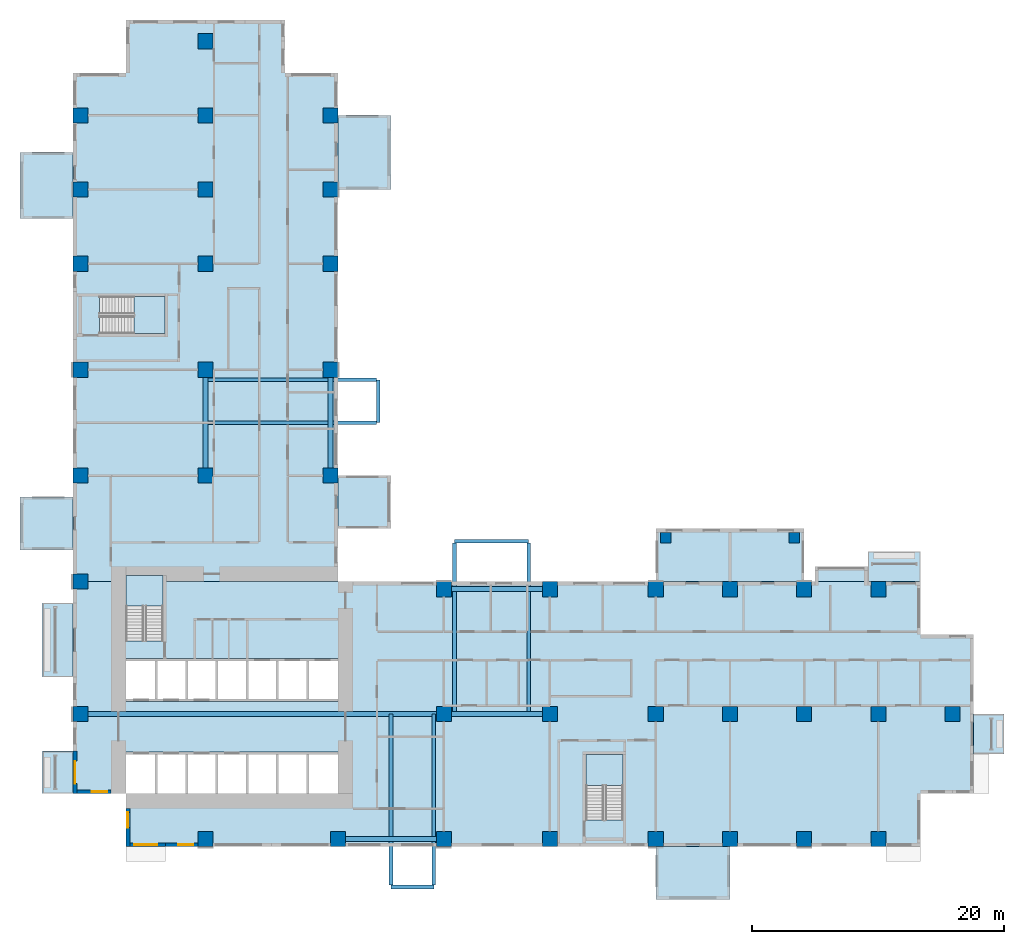
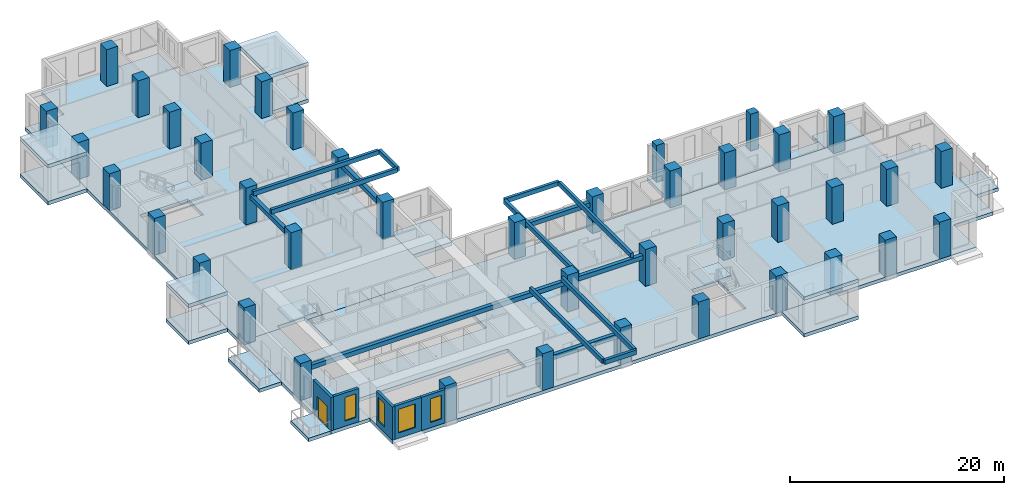
# One storey, part 1 of 15: 41 columns, 20 slabs, 15 beams, 5 walls, 4 windows, 1 door, 5 openings, 3 elements without a shape of their own.
"""IFC4 building model written with IfcOpenShell, lengths in metres."""

from ifc_helpers import new_model, si_unit, direction, frame, frame_2d, origin, origin_2d, place, context, subcontext, project, spatial, polyline, rectangle, outline, extrude, source, transform, mapped, material, layer, layer_set, material_profile, profile_set, type_object, element, fill, aggregate, save


model = new_model("IFC4")

# Units and contexts
model_context = context("Model", 3, precision=1e-05, world=origin(), true_north=direction((0.0, 1.0)))
body_context = subcontext(model_context, "Body", "Model", "MODEL_VIEW")
ifc_project = project(units=[si_unit("LENGTHUNIT", "METRE"), si_unit("AREAUNIT", "SQUARE_METRE"), si_unit("VOLUMEUNIT", "CUBIC_METRE"), si_unit("PLANEANGLEUNIT", "RADIAN"), si_unit("MASSUNIT", "GRAM", prefix="KILO")], contexts=[model_context])

# Site, building, storey
site_placement = place(None, origin())
site = spatial("IfcSite", under=ifc_project, at=site_placement, CompositionType="ELEMENT")
building_placement = place(site_placement, origin())
building = spatial("IfcBuilding", under=site, at=building_placement, Name="Aurelian Terraces", CompositionType="ELEMENT")
storey_placement = place(building_placement, frame((0.0, 0.0, 61.5)))
storey = spatial("IfcBuildingStorey", under=building, at=storey_placement, Name="L12", CompositionType="ELEMENT", Elevation=61.5)

# Columns
ifc_material_1 = material(Name="Concrete fc' 83 MPa", Category="concrete")
ifc_material_profile_1 = material_profile(ifc_material_1, rectangle(XDim=1.2, YDim=1.2, at=origin_2d()))
ifc_profile_set_1 = profile_set([ifc_material_profile_1], Name="Concrete fc' 83 MPa")
column_type_1 = type_object("IfcColumnType", Name="RC COLUMN 1200X1200 FC83", PredefinedType="COLUMN", material=ifc_profile_set_1)
shared_shape_1 = source(origin(), body_context, "Body", "SweptSolid", [
    extrude(rectangle(XDim=1.2, YDim=1.2, at=origin_2d()), origin(), (0.0, 0.0, 1.0), 4.2),
])
for number, where, z_axis, x_axis, name in (
    (1, (10.5, 0.6, 0.0), (0.0, 0.0, 1.0), (1.0, 0.0, 0.0), "Column 2/A L12"),
    (2, (21.0, 0.6, 0.0), (0.0, 0.0, 1.0), (1.0, 0.0, 0.0), "Column 3/A L12"),
    (3, (29.4, 0.6, 0.0), (0.0, 0.0, 1.0), (1.0, 0.0, 0.0), "Column 4/A L12"),
    (4, (37.8, 0.6, 0.0), (0.0, 0.0, 1.0), (1.0, 0.0, 0.0), "Column 5/A L12"),
    (5, (46.2, 0.6, 0.0), (0.0, 0.0, 1.0), (1.0, 0.0, 0.0), "Column 6/A L12"),
    (6, (52.08, 0.6, 0.0), (0.0, 0.0, 1.0), (1.0, 0.0, 0.0), "Column 7/A L12"),
    (7, (57.96, 0.6, 0.0), (0.0, 0.0, 1.0), (1.0, 0.0, 0.0), "Column 8/A L12"),
    (8, (63.84, 0.6, 0.0), (0.0, 0.0, 1.0), (1.0, 0.0, 0.0), "Column 9/A L12"),
    (9, (0.6, 10.5, 0.0), (0.0, 0.0, 1.0), (1.0, 0.0, 0.0), "Column 1/B L12"),
    (10, (29.4, 10.5, 0.0), (0.0, 0.0, 1.0), (1.0, 0.0, 0.0), "Column 4/B L12"),
    (11, (37.8, 10.5, 0.0), (0.0, 0.0, 1.0), (1.0, 0.0, 0.0), "Column 5/B L12"),
    (12, (46.2, 10.5, 0.0), (0.0, 0.0, 1.0), (1.0, 0.0, 0.0), "Column 6/B L12"),
    (13, (52.08, 10.5, 0.0), (0.0, 0.0, 1.0), (1.0, 0.0, 0.0), "Column 7/B L12"),
    (14, (57.96, 10.5, 0.0), (0.0, 0.0, 1.0), (1.0, 0.0, 0.0), "Column 8/B L12"),
    (15, (63.84, 10.5, 0.0), (0.0, 0.0, 1.0), (1.0, 0.0, 0.0), "Column 9/B L12"),
    (16, (69.72, 10.5, 0.0), (0.0, 0.0, 1.0), (1.0, 0.0, 0.0), "Column 10/B L12"),
    (17, (0.6, 21.0, 0.0), (0.0, 0.0, 1.0), (1.0, 0.0, 0.0), "Column 1/C L12"),
    (18, (29.4, 20.4, 0.0), (0.0, 0.0, 1.0), (1.0, 0.0, 0.0), "Column 4/C L12"),
    (19, (37.8, 20.4, 0.0), (0.0, 0.0, 1.0), (1.0, 0.0, 0.0), "Column 5/C L12"),
    (20, (46.2, 20.4, 0.0), (0.0, 0.0, 1.0), (1.0, 0.0, 0.0), "Column 6/C L12"),
    (21, (52.08, 20.4, 0.0), (0.0, 0.0, 1.0), (1.0, 0.0, 0.0), "Column 7/C L12"),
    (22, (57.96, 20.4, 0.0), (0.0, 0.0, 1.0), (1.0, 0.0, 0.0), "Column 8/C L12"),
    (23, (63.84, 20.4, 0.0), (0.0, 0.0, 1.0), (1.0, 0.0, 0.0), "Column 9/C L12"),
    (24, (0.6, 29.4, 0.0), (0.0, 0.0, 1.0), (1.0, 0.0, 0.0), "Column 1/D L12"),
    (25, (10.5, 29.4, 0.0), (0.0, 0.0, 1.0), (1.0, 0.0, 0.0), "Column 2/D L12"),
    (26, (20.4, 29.4, 0.0), (0.0, 0.0, 1.0), (1.0, 0.0, 0.0), "Column 3/D L12"),
    (27, (0.6, 37.8, 0.0), (0.0, 0.0, 1.0), (1.0, 0.0, 0.0), "Column 1/E L12"),
    (28, (10.5, 37.8, 0.0), (0.0, 0.0, 1.0), (1.0, 0.0, 0.0), "Column 2/E L12"),
    (29, (20.4, 37.8, 0.0), (0.0, 0.0, 1.0), (1.0, 0.0, 0.0), "Column 3/E L12"),
    (30, (0.6, 46.2, 0.0), (0.0, 0.0, 1.0), (1.0, 0.0, 0.0), "Column 1/F L12"),
    (31, (10.5, 46.2, 0.0), (0.0, 0.0, 1.0), (1.0, 0.0, 0.0), "Column 2/F L12"),
    (32, (20.4, 46.2, 0.0), (0.0, 0.0, 1.0), (1.0, 0.0, 0.0), "Column 3/F L12"),
    (33, (0.6, 52.08, 0.0), (0.0, 0.0, 1.0), (1.0, 0.0, 0.0), "Column 1/G L12"),
    (34, (10.5, 52.08, 0.0), (0.0, 0.0, 1.0), (1.0, 0.0, 0.0), "Column 2/G L12"),
    (35, (20.4, 52.08, 0.0), (0.0, 0.0, 1.0), (1.0, 0.0, 0.0), "Column 3/G L12"),
    (36, (0.6, 57.96, 0.0), (0.0, 0.0, 1.0), (1.0, 0.0, 0.0), "Column 1/H L12"),
    (37, (10.5, 57.96, 0.0), (0.0, 0.0, 1.0), (1.0, 0.0, 0.0), "Column 2/H L12"),
    (38, (20.4, 57.96, 0.0), (0.0, 0.0, 1.0), (1.0, 0.0, 0.0), "Column 3/H L12"),
    (39, (10.5, 63.84, 0.0), (0.0, 0.0, 1.0), (1.0, 0.0, 0.0), "Column 2/I L12"),
):
    element("IfcColumn", number, at=place(storey_placement, frame(where, z_axis=z_axis, x_axis=x_axis)), inside=storey, type_object=column_type_1, Name=name, PredefinedType="COLUMN", context=body_context, shape_type="MappedRepresentation", body=[
        mapped(shared_shape_1, transform((0.0, 0.0, 0.0), scale=1.0)),
    ])
ifc_material_2 = material(Name="Concrete fc' 55 MPa", Category="concrete")
ifc_material_profile_2 = material_profile(ifc_material_2, rectangle(XDim=0.84, YDim=0.84, at=origin_2d()))
ifc_profile_set_2 = profile_set([ifc_material_profile_2], Name="Concrete fc' 55 MPa")
column_type_2 = type_object("IfcColumnType", Name="BLOCK CORNER PIER 840X840", PredefinedType="COLUMN", material=ifc_profile_set_2)
shared_shape_2 = source(origin(), body_context, "Body", "SweptSolid", [
    extrude(rectangle(XDim=0.84, YDim=0.84, at=origin_2d()), origin(), (0.0, 0.0, 1.0), 4.2),
])
for number, where, z_axis, x_axis, name in (
    (40, (47.0, 24.48, 0.0), (0.0, 0.0, 1.0), (1.0, 0.0, 0.0), "Block pier K01.1 L12"),
    (41, (57.16, 24.48, 0.0), (0.0, 0.0, 1.0), (1.0, 0.0, 0.0), "Block pier K01.2 L12"),
):
    element("IfcColumn", number, at=place(storey_placement, frame(where, z_axis=z_axis, x_axis=x_axis)), inside=storey, type_object=column_type_2, Name=name, PredefinedType="COLUMN", context=body_context, shape_type="MappedRepresentation", body=[
        mapped(shared_shape_2, transform((0.0, 0.0, 0.0), scale=1.0)),
    ])

# Beams
ifc_material_3 = material(Name="Concrete fc' 40 MPa", Category="concrete")
ifc_material_profile_3 = material_profile(ifc_material_3, rectangle(XDim=0.3, YDim=0.5, at=origin_2d()))
ifc_profile_set_3 = profile_set([ifc_material_profile_3], Name="Concrete fc' 40 MPa")
beam_type_1 = type_object("IfcBeamType", Name="CONCRETE CANTILEVER BEAM 300X500", PredefinedType="BEAM", material=ifc_profile_set_3)
shared_shape_3 = source(origin(), body_context, "Body", "SweptSolid", [
    extrude(rectangle(XDim=0.3, YDim=0.5, at=origin_2d()), origin(), (0.0, 0.0, 1.0), 13.55),
])
for number, where, z_axis, x_axis, name in (
    (42, (25.2, -3.05, 3.55), (0.0, 1.0, 0.0), (-1.0, 0.0, 0.0), "Box cantilever beam J12.1"),
    (43, (28.6, -3.05, 3.55), (0.0, 1.0, 0.0), (-1.0, 0.0, 0.0), "Box cantilever beam J12.2"),
    (44, (30.24, 24.05, 3.55), (0.0, -1.0, 0.0), (1.0, 0.0, 0.0), "Box cantilever beam J13.1"),
    (45, (36.12, 24.05, 3.55), (0.0, -1.0, 0.0), (1.0, 0.0, 0.0), "Box cantilever beam J13.2"),
    (46, (24.05, 33.6, 3.55), (-1.0, 0.0, 0.0), (0.0, -1.0, 0.0), "Box cantilever beam J14.1"),
    (47, (24.05, 37.0, 3.55), (-1.0, 0.0, 0.0), (0.0, -1.0, 0.0), "Box cantilever beam J14.2"),
):
    element("IfcBeam", number, at=place(storey_placement, frame(where, z_axis=z_axis, x_axis=x_axis)), inside=storey, type_object=beam_type_1, Name=name, PredefinedType="BEAM", context=body_context, shape_type="MappedRepresentation", body=[
        mapped(shared_shape_3, transform((0.0, 0.0, 0.0), scale=1.0)),
    ])
ifc_material_profile_4 = material_profile(ifc_material_3, rectangle(XDim=0.4, YDim=0.5, at=origin_2d()))
ifc_profile_set_4 = profile_set([ifc_material_profile_4], Name="Concrete fc' 40 MPa")
beam_type_2 = type_object("IfcBeamType", Name="CONCRETE EDGE GIRDER 400X500", PredefinedType="BEAM", material=ifc_profile_set_4)
shared_shape_4 = source(origin(), body_context, "Body", "SweptSolid", [
    extrude(rectangle(XDim=0.4, YDim=0.5, at=origin_2d()), origin(), (0.0, 0.0, 1.0), 7.2),
])
for number, where, z_axis, x_axis, name in (
    (48, (21.6, 0.6, 3.05), (1.0, 0.0, 0.0), (0.0, 1.0, 0.0), "Box girder L12 O25"),
    (49, (30.0, 20.4, 3.05), (1.0, 0.0, 0.0), (0.0, 1.0, 0.0), "Box girder L12 O27"),
    (50, (30.0, 10.5, 3.05), (1.0, 0.0, 0.0), (0.0, 1.0, 0.0), "Box girder L12 I28"),
    (51, (20.4, 30.0, 3.05), (0.0, 1.0, 0.0), (-1.0, 0.0, 0.0), "Box girder L12 O29"),
    (52, (10.5, 30.0, 3.05), (0.0, 1.0, 0.0), (-1.0, 0.0, 0.0), "Box girder L12 I30"),
):
    element("IfcBeam", number, at=place(storey_placement, frame(where, z_axis=z_axis, x_axis=x_axis)), inside=storey, type_object=beam_type_2, Name=name, PredefinedType="BEAM", context=body_context, shape_type="MappedRepresentation", body=[
        mapped(shared_shape_4, transform((0.0, 0.0, 0.0), scale=1.0)),
    ])
shared_shape_5 = source(origin(), body_context, "Body", "SweptSolid", [
    extrude(rectangle(XDim=0.4, YDim=0.5, at=origin_2d()), origin(), (0.0, 0.0, 1.0), 27.6),
])
beam_1_placement = place(storey_placement, frame((1.2, 10.5, 3.05), z_axis=(1.0, 0.0, 0.0), x_axis=(0.0, 1.0, 0.0)))
element("IfcBeam", 53, at=beam_1_placement, inside=storey, type_object=beam_type_2, Name="Box girder L12 I26", PredefinedType="BEAM", context=body_context, shape_type="MappedRepresentation", body=[
    mapped(shared_shape_5, transform((0.0, 0.0, 0.0), scale=1.0)),
])
shared_shape_6 = source(origin(), body_context, "Body", "SweptSolid", [
    extrude(rectangle(XDim=0.3, YDim=0.5, at=origin_2d()), origin(), (0.0, 0.0, 1.0), 3.4),
])
for number, where, z_axis, x_axis, name in (
    (54, (25.2, -3.2, 3.55), (1.0, 0.0, 0.0), (0.0, 1.0, 0.0), "Box tip beam J12"),
    (55, (24.2, 33.6, 3.55), (0.0, 1.0, 0.0), (-1.0, 0.0, 0.0), "Box tip beam J14"),
):
    element("IfcBeam", number, at=place(storey_placement, frame(where, z_axis=z_axis, x_axis=x_axis)), inside=storey, type_object=beam_type_1, Name=name, PredefinedType="BEAM", context=body_context, shape_type="MappedRepresentation", body=[
        mapped(shared_shape_6, transform((0.0, 0.0, 0.0), scale=1.0)),
    ])
shared_shape_7 = source(origin(), body_context, "Body", "SweptSolid", [
    extrude(rectangle(XDim=0.3, YDim=0.5, at=origin_2d()), origin(), (0.0, 0.0, 1.0), 5.88),
])
beam_2_placement = place(storey_placement, frame((30.24, 24.2, 3.55), z_axis=(1.0, 0.0, 0.0), x_axis=(0.0, 1.0, 0.0)))
element("IfcBeam", 56, at=beam_2_placement, inside=storey, type_object=beam_type_1, Name="Box tip beam J13", PredefinedType="BEAM", context=body_context, shape_type="MappedRepresentation", body=[
    mapped(shared_shape_7, transform((0.0, 0.0, 0.0), scale=1.0)),
])

# Slabs
ifc_layer_1 = layer(ifc_material_3, 0.41)
ifc_layer_set_1 = layer_set([ifc_layer_1], Name="Box floor 410")
slab_type_1 = type_object("IfcSlabType", Name="Box floor 410", PredefinedType="NOTDEFINED", material=ifc_layer_set_1)
slab_1_placement = place(storey_placement, frame((0.0, 0.0, -0.41)))
element("IfcSlab", 57, at=slab_1_placement, inside=storey, type_object=slab_type_1, Name="Box floor L12 J11", PredefinedType="NOTDEFINED", context=body_context, shape_type="SweptSolid", body=[
    extrude(outline(polyline([(25.2, 25.2), (25.2, 29.4), (21.0, 29.4), (21.0, 25.2), (25.2, 25.2)])), origin(), (0.0, 0.0, 1.0), 0.41),
])
ifc_layer_2 = layer(ifc_material_3, 0.4)
ifc_layer_set_2 = layer_set([ifc_layer_2], Name="Box roof 400")
slab_type_2 = type_object("IfcSlabType", Name="Box roof 400", PredefinedType="ROOF", material=ifc_layer_set_2)
slab_2_placement = place(storey_placement, frame((0.0, 0.0, 3.8)))
element("IfcSlab", 58, at=slab_2_placement, inside=storey, type_object=slab_type_2, Name="Box roof J08", PredefinedType="ROOF", context=body_context, shape_type="SweptSolid", body=[
    extrude(outline(polyline([(25.2, 52.08), (25.2, 57.96), (21.0, 57.96), (21.0, 52.08), (25.2, 52.08)])), origin(), (0.0, 0.0, 1.0), 0.4),
])
ifc_layer_3 = layer(ifc_material_3, 0.4)
ifc_layer_set_3 = layer_set([ifc_layer_3], Name="PT FLAT PLATE 400")
slab_type_3 = type_object("IfcSlabType", Name="PT FLAT PLATE 400", PredefinedType="FLOOR", material=ifc_layer_set_3)
shared_shape_8 = source(origin(), body_context, "Body", "SweptSolid", [
    extrude(outline(polyline([(67.2, 16.8), (71.4, 16.8), (71.4, 4.2), (67.2, 4.2), (67.2, 0.0), (21.0, 0.0), (4.2, 0.0), (4.2, 4.2), (0.0, 4.2), (0.0, 21.0), (4.21, 21.0), (4.21, 16.31), (7.14, 16.31), (7.14, 21.0), (21.0, 21.0), (67.2, 21.0), (67.2, 16.8)]), holes=[polyline([(40.66, 2.11), (43.59, 2.11), (43.59, 7.29), (40.66, 7.29), (40.66, 2.11)]), polyline([(4.21, 7.49), (4.21, 4.21), (20.99, 4.21), (20.99, 7.49), (4.21, 7.49)]), polyline([(4.21, 14.89), (4.21, 11.51), (20.99, 11.51), (20.99, 14.89), (4.21, 14.89)])]), origin(), (0.0, 0.0, 1.0), 0.4),
])
slab_3_placement = place(storey_placement, frame((0.0, 0.0, -0.4)))
element("IfcSlab", 59, at=slab_3_placement, inside=storey, type_object=slab_type_3, Name="Floor slab S L12", PredefinedType="FLOOR", context=body_context, shape_type="MappedRepresentation", body=[
    mapped(shared_shape_8, transform((0.0, 0.0, 0.0), scale=1.0)),
])
shared_shape_9 = source(origin(), body_context, "Body", "SweptSolid", [
    extrude(outline(polyline([(7.14, 21.0), (7.14, 21.49), (4.21, 21.49), (4.21, 21.0), (0.0, 21.0), (0.0, 61.32), (4.2, 61.32), (4.2, 65.52), (16.8, 65.52), (16.8, 61.32), (21.0, 61.32), (21.0, 21.0), (7.14, 21.0)]), holes=[polyline([(7.29, 43.59), (2.11, 43.59), (2.11, 40.66), (7.29, 40.66), (7.29, 43.59)])]), origin(), (0.0, 0.0, 1.0), 0.4),
])
slab_4_placement = place(storey_placement, frame((0.0, 0.0, -0.4)))
element("IfcSlab", 60, at=slab_4_placement, inside=storey, type_object=slab_type_3, Name="Floor slab W L12", PredefinedType="FLOOR", context=body_context, shape_type="MappedRepresentation", body=[
    mapped(shared_shape_9, transform((0.0, 0.0, 0.0), scale=1.0)),
])
ifc_layer_4 = layer(ifc_material_3, 0.4)
ifc_layer_set_4 = layer_set([ifc_layer_4], Name="Bay floor 400")
slab_type_4 = type_object("IfcSlabType", Name="Bay floor 400", PredefinedType="NOTDEFINED", material=ifc_layer_set_4)
shared_shape_10 = source(origin(), body_context, "Body", "SweptSolid", [
    extrude(outline(polyline([(63.0, 21.0), (58.8, 21.0), (58.8, 22.2), (63.0, 22.2), (63.0, 21.0)])), origin(), (0.0, 0.0, 1.0), 0.4),
])
slab_5_placement = place(storey_placement, frame((0.0, 0.0, -0.4)))
element("IfcSlab", 61, at=slab_5_placement, inside=storey, type_object=slab_type_4, Name="Bay floor L12 F07.21", PredefinedType="NOTDEFINED", context=body_context, shape_type="MappedRepresentation", body=[
    mapped(shared_shape_10, transform((0.0, 0.0, 0.0), scale=1.0)),
])
ifc_layer_5 = layer(ifc_material_3, 0.4)
ifc_layer_set_5 = layer_set([ifc_layer_5], Name="Balcony slab 400")
slab_type_5 = type_object("IfcSlabType", Name="Balcony slab 400", PredefinedType="NOTDEFINED", material=ifc_layer_set_5)
shared_shape_11 = source(origin(), body_context, "Body", "SweptSolid", [
    extrude(outline(polyline([(0.0, 19.32), (0.0, 13.44), (-2.4, 13.44), (-2.4, 19.32), (0.0, 19.32)])), origin(), (0.0, 0.0, 1.0), 0.4),
])
slab_6_placement = place(storey_placement, frame((0.0, 0.0, -0.4)))
element("IfcSlab", 62, at=slab_6_placement, inside=storey, type_object=slab_type_5, Name="Balcony slab L12 F14.39", PredefinedType="NOTDEFINED", context=body_context, shape_type="MappedRepresentation", body=[
    mapped(shared_shape_11, transform((0.0, 0.0, 0.0), scale=1.0)),
])
shared_shape_12 = source(origin(), body_context, "Body", "SweptSolid", [
    extrude(outline(polyline([(46.2, -4.2), (52.08, -4.2), (52.08, 0.0), (46.2, 0.0), (46.2, -4.2)])), origin(), (0.0, 0.0, 1.0), 0.41),
])
slab_7_placement = place(storey_placement, frame((0.0, 0.0, -0.41)))
element("IfcSlab", 63, at=slab_7_placement, inside=storey, type_object=slab_type_1, Name="Box floor L12 J07", PredefinedType="NOTDEFINED", context=body_context, shape_type="MappedRepresentation", body=[
    mapped(shared_shape_12, transform((0.0, 0.0, 0.0), scale=1.0)),
])
shared_shape_13 = source(origin(), body_context, "Body", "SweptSolid", [
    extrude(outline(polyline([(-4.2, 27.72), (-4.2, 23.52), (0.0, 23.52), (0.0, 27.72), (-4.2, 27.72)])), origin(), (0.0, 0.0, 1.0), 0.41),
])
slab_8_placement = place(storey_placement, frame((0.0, 0.0, -0.41)))
element("IfcSlab", 64, at=slab_8_placement, inside=storey, type_object=slab_type_1, Name="Box floor L12 J09", PredefinedType="NOTDEFINED", context=body_context, shape_type="MappedRepresentation", body=[
    mapped(shared_shape_13, transform((0.0, 0.0, 0.0), scale=1.0)),
])
shared_shape_14 = source(origin(), body_context, "Body", "SweptSolid", [
    extrude(outline(polyline([(-4.2, 55.02), (-4.2, 49.77), (0.0, 49.77), (0.0, 55.02), (-4.2, 55.02)])), origin(), (0.0, 0.0, 1.0), 0.41),
])
slab_9_placement = place(storey_placement, frame((0.0, 0.0, -0.41)))
element("IfcSlab", 65, at=slab_9_placement, inside=storey, type_object=slab_type_1, Name="Box floor L12 J10", PredefinedType="NOTDEFINED", context=body_context, shape_type="MappedRepresentation", body=[
    mapped(shared_shape_14, transform((0.0, 0.0, 0.0), scale=1.0)),
])
shared_shape_15 = source(origin(), body_context, "Body", "SweptSolid", [
    extrude(outline(polyline([(0.0, 7.56), (0.0, 4.2), (-2.4, 4.2), (-2.4, 7.56), (0.0, 7.56)])), origin(), (0.0, 0.0, 1.0), 0.4),
])
slab_10_placement = place(storey_placement, frame((0.0, 0.0, -0.4)))
element("IfcSlab", 66, at=slab_10_placement, inside=storey, type_object=slab_type_5, Name="Balcony slab L12 F14.41", PredefinedType="NOTDEFINED", context=body_context, shape_type="MappedRepresentation", body=[
    mapped(shared_shape_15, transform((0.0, 0.0, 0.0), scale=1.0)),
])
shared_shape_16 = source(origin(), body_context, "Body", "SweptSolid", [
    extrude(outline(polyline([(57.96, 25.2), (46.2, 25.2), (46.2, 21.0), (57.96, 21.0), (57.96, 25.2)])), origin(), (0.0, 0.0, 1.0), 0.41),
])
slab_11_placement = place(storey_placement, frame((0.0, 0.0, -0.41)))
element("IfcSlab", 67, at=slab_11_placement, inside=storey, type_object=slab_type_1, Name="Box floor L12 K01", PredefinedType="NOTDEFINED", context=body_context, shape_type="MappedRepresentation", body=[
    mapped(shared_shape_16, transform((0.0, 0.0, 0.0), scale=1.0)),
])
shared_shape_17 = source(origin(), body_context, "Body", "SweptSolid", [
    extrude(outline(polyline([(46.2, -4.2), (52.08, -4.2), (52.08, 0.0), (46.2, 0.0), (46.2, -4.2)])), origin(), (0.0, 0.0, 1.0), 0.4),
])
slab_12_placement = place(storey_placement, frame((0.0, 0.0, 3.8)))
element("IfcSlab", 68, at=slab_12_placement, inside=storey, type_object=slab_type_2, Name="Box roof J07", PredefinedType="ROOF", context=body_context, shape_type="MappedRepresentation", body=[
    mapped(shared_shape_17, transform((0.0, 0.0, 0.0), scale=1.0)),
])
shared_shape_18 = source(origin(), body_context, "Body", "SweptSolid", [
    extrude(outline(polyline([(25.2, 52.08), (25.2, 57.96), (21.0, 57.96), (21.0, 52.08), (25.2, 52.08)])), origin(), (0.0, 0.0, 1.0), 0.41),
])
slab_13_placement = place(storey_placement, frame((0.0, 0.0, -0.41)))
element("IfcSlab", 69, at=slab_13_placement, inside=storey, type_object=slab_type_1, Name="Box floor L12 J08", PredefinedType="NOTDEFINED", context=body_context, shape_type="MappedRepresentation", body=[
    mapped(shared_shape_18, transform((0.0, 0.0, 0.0), scale=1.0)),
])
shared_shape_19 = source(origin(), body_context, "Body", "SweptSolid", [
    extrude(outline(polyline([(-4.2, 27.72), (-4.2, 23.52), (0.0, 23.52), (0.0, 27.72), (-4.2, 27.72)])), origin(), (0.0, 0.0, 1.0), 0.4),
])
slab_14_placement = place(storey_placement, frame((0.0, 0.0, 3.8)))
element("IfcSlab", 70, at=slab_14_placement, inside=storey, type_object=slab_type_2, Name="Box roof J09", PredefinedType="ROOF", context=body_context, shape_type="MappedRepresentation", body=[
    mapped(shared_shape_19, transform((0.0, 0.0, 0.0), scale=1.0)),
])
shared_shape_20 = source(origin(), body_context, "Body", "SweptSolid", [
    extrude(outline(polyline([(-4.2, 55.02), (-4.2, 49.77), (0.0, 49.77), (0.0, 55.02), (-4.2, 55.02)])), origin(), (0.0, 0.0, 1.0), 0.4),
])
slab_15_placement = place(storey_placement, frame((0.0, 0.0, 3.8)))
element("IfcSlab", 71, at=slab_15_placement, inside=storey, type_object=slab_type_2, Name="Box roof J10", PredefinedType="ROOF", context=body_context, shape_type="MappedRepresentation", body=[
    mapped(shared_shape_20, transform((0.0, 0.0, 0.0), scale=1.0)),
])
shared_shape_21 = source(origin(), body_context, "Body", "SweptSolid", [
    extrude(outline(polyline([(71.4, 7.35), (71.4, 10.5), (73.8, 10.5), (73.8, 7.35), (71.4, 7.35)])), origin(), (0.0, 0.0, 1.0), 0.4),
])
slab_16_placement = place(storey_placement, frame((0.0, 0.0, -0.4)))
element("IfcSlab", 72, at=slab_16_placement, inside=storey, type_object=slab_type_5, Name="Balcony slab L12 F04.16", PredefinedType="NOTDEFINED", context=body_context, shape_type="MappedRepresentation", body=[
    mapped(shared_shape_21, transform((0.0, 0.0, 0.0), scale=1.0)),
])
shared_shape_22 = source(origin(), body_context, "Body", "SweptSolid", [
    extrude(outline(polyline([(67.2, 21.0), (63.0, 21.0), (63.0, 23.4), (67.2, 23.4), (67.2, 21.0)])), origin(), (0.0, 0.0, 1.0), 0.4),
])
slab_17_placement = place(storey_placement, frame((0.0, 0.0, -0.4)))
element("IfcSlab", 73, at=slab_17_placement, inside=storey, type_object=slab_type_5, Name="Balcony slab L12 F07.20", PredefinedType="NOTDEFINED", context=body_context, shape_type="MappedRepresentation", body=[
    mapped(shared_shape_22, transform((0.0, 0.0, 0.0), scale=1.0)),
])

# Stair, slab
stair_type = type_object("IfcStairType", Name="Stair 1400", PredefinedType="HALF_TURN_STAIR", material=ifc_material_3)
stair_1_placement = place(storey_placement, origin())
stair_1 = element("IfcStair", 74, at=stair_1_placement, inside=storey, type_object=stair_type, Name="L12 S1", PredefinedType="HALF_TURN_STAIR")
ifc_layer_6 = layer(ifc_material_3, 0.2)
ifc_layer_set_6 = layer_set([ifc_layer_6], Name="Stair landing 200")
slab_type_6 = type_object("IfcSlabType", Name="Stair landing 200", PredefinedType="LANDING", material=ifc_layer_set_6)
shared_shape_23 = source(origin(), body_context, "Body", "SweptSolid", [
    extrude(outline(polyline([(7.15, 19.05), (7.15, 21.5), (4.2, 21.5), (4.2, 19.05), (7.15, 19.05)])), origin(), (0.0, 0.0, 1.0), 0.2),
])
slab_18_placement = place(storey_placement, frame((0.0, 0.0, 1.9)))
slab_18 = element("IfcSlab", 75, at=slab_18_placement, type_object=slab_type_6, Name="S1 landing 1", PredefinedType="LANDING", context=body_context, shape_type="MappedRepresentation", body=[
    mapped(shared_shape_23, transform((0.0, 0.0, 0.0), scale=1.0)),
])
aggregate(stair_1, [slab_18])

stair_2_placement = place(storey_placement, origin())
stair_2 = element("IfcStair", 76, at=stair_2_placement, inside=storey, type_object=stair_type, Name="L12 S2", PredefinedType="HALF_TURN_STAIR")
shared_shape_24 = source(origin(), body_context, "Body", "SweptSolid", [
    extrude(outline(polyline([(43.6, 4.85), (43.6, 7.3), (40.65, 7.3), (40.65, 4.85), (43.6, 4.85)])), origin(), (0.0, 0.0, 1.0), 0.2),
])
slab_19_placement = place(storey_placement, frame((0.0, 0.0, 1.9)))
slab_19 = element("IfcSlab", 77, at=slab_19_placement, type_object=slab_type_6, Name="S2 landing 1", PredefinedType="LANDING", context=body_context, shape_type="MappedRepresentation", body=[
    mapped(shared_shape_24, transform((0.0, 0.0, 0.0), scale=1.0)),
])
aggregate(stair_2, [slab_19])

stair_3_placement = place(storey_placement, origin())
stair_3 = element("IfcStair", 78, at=stair_3_placement, inside=storey, type_object=stair_type, Name="L12 S3", PredefinedType="HALF_TURN_STAIR")
shared_shape_25 = source(origin(), body_context, "Body", "SweptSolid", [
    extrude(outline(polyline([(4.85, 40.65), (7.3, 40.65), (7.3, 43.6), (4.85, 43.6), (4.85, 40.65)])), origin(), (0.0, 0.0, 1.0), 0.2),
])
slab_20_placement = place(storey_placement, frame((0.0, 0.0, 1.9)))
slab_20 = element("IfcSlab", 79, at=slab_20_placement, type_object=slab_type_6, Name="S3 landing 1", PredefinedType="LANDING", context=body_context, shape_type="MappedRepresentation", body=[
    mapped(shared_shape_25, transform((0.0, 0.0, 0.0), scale=1.0)),
])
aggregate(stair_3, [slab_20])

# Wall, opening, window
ifc_material_4 = material(Name="Terracotta rainscreen cladding", Category="masonry")
ifc_layer_7 = layer(ifc_material_4, 0.3)
ifc_layer_set_7 = layer_set([ifc_layer_7], Name="EW-300")
wall_type = type_object("IfcWallType", Name="EW-300", PredefinedType="STANDARD", material=ifc_layer_set_7)
shared_shape_26 = source(origin(), body_context, "Body", "SweptSolid", [
    extrude(rectangle(XDim=3.15, YDim=0.3, at=frame_2d((1.575, 0.0))), origin(), (0.0, 0.0, 1.0), 3.8),
])
wall_1_placement = place(storey_placement, frame((4.2, 0.15, 0.0), z_axis=(0.0, 0.0, 1.0), x_axis=(1.0, 0.0, 0.0)))
wall_1 = element("IfcWall", 80, at=wall_1_placement, inside=storey, type_object=wall_type, Name="External wall L12 F01.1", PredefinedType="STANDARD", context=body_context, shape_type="MappedRepresentation", body=[
    mapped(shared_shape_26, transform((0.0, 0.0, 0.0), scale=1.0)),
])
shared_shape_27 = source(origin(), body_context, "Body", "SweptSolid", [
    extrude(rectangle(XDim=1.8, YDim=2.7, at=frame_2d((0.9, 1.35))), frame((0.0, 0.16, 0.0), z_axis=(0.0, -1.0, 0.0), x_axis=(1.0, 0.0, 0.0)), (0.0, 0.0, 1.0), 0.32),
])
opening_1_placement = place(wall_1_placement, frame((0.675, 0.0, 0.6)))
opening_1 = element("IfcOpeningElement", 81, at=opening_1_placement, cuts=wall_1, Name="Opening W1827", PredefinedType="OPENING", context=body_context, shape_type="MappedRepresentation", body=[
    mapped(shared_shape_27, transform((0.0, 0.0, 0.0), scale=1.0)),
])
ifc_material_5 = material(Name="Clear glazing", Category="glass")
window_type_1 = type_object("IfcWindowType", Name="W-1800x2700", PartitioningType="SINGLE_PANEL", PredefinedType="WINDOW", material=ifc_material_5)
shared_shape_28 = source(origin(), body_context, "Body", "SweptSolid", [
    extrude(rectangle(XDim=1.8, YDim=2.7, at=frame_2d((0.9, 1.35))), frame((0.0, 0.03, 0.0), z_axis=(0.0, -1.0, 0.0), x_axis=(1.0, 0.0, 0.0)), (0.0, 0.0, 1.0), 0.06),
])
window_1_placement = place(opening_1_placement, origin())
window_1 = element("IfcWindow", 82, at=window_1_placement, inside=storey, type_object=window_type_1, Name="Window L12 L12-F01-01-0", OverallHeight=2.7, OverallWidth=1.8, PartitioningType="SINGLE_PANEL", PredefinedType="WINDOW", context=body_context, shape_type="MappedRepresentation", body=[
    mapped(shared_shape_28, transform((0.0, 0.0, 0.0), scale=1.0)),
])
fill(opening_1, window_1)

shared_shape_29 = source(origin(), body_context, "Body", "SweptSolid", [
    extrude(rectangle(XDim=3.0, YDim=0.3, at=frame_2d((1.5, 0.0))), origin(), (0.0, 0.0, 1.0), 3.8),
])
wall_2_placement = place(storey_placement, frame((0.0, 4.35, 0.0), z_axis=(0.0, 0.0, 1.0), x_axis=(1.0, 0.0, 0.0)))
wall_2 = element("IfcWall", 83, at=wall_2_placement, inside=storey, type_object=wall_type, Name="External wall L12 F15.42", PredefinedType="STANDARD", context=body_context, shape_type="MappedRepresentation", body=[
    mapped(shared_shape_29, transform((0.0, 0.0, 0.0), scale=1.0)),
])
shared_shape_30 = source(origin(), body_context, "Body", "SweptSolid", [
    extrude(rectangle(XDim=1.2, YDim=2.7, at=frame_2d((0.6, 1.35))), frame((0.0, 0.16, 0.0), z_axis=(0.0, -1.0, 0.0), x_axis=(1.0, 0.0, 0.0)), (0.0, 0.0, 1.0), 0.32),
])
opening_2_placement = place(wall_2_placement, frame((1.5, 0.0, 0.6)))
opening_2 = element("IfcOpeningElement", 84, at=opening_2_placement, cuts=wall_2, Name="Opening W1227", PredefinedType="OPENING", context=body_context, shape_type="MappedRepresentation", body=[
    mapped(shared_shape_30, transform((0.0, 0.0, 0.0), scale=1.0)),
])
window_type_2 = type_object("IfcWindowType", Name="W-1200x2700", PartitioningType="SINGLE_PANEL", PredefinedType="WINDOW", material=ifc_material_5)
shared_shape_31 = source(origin(), body_context, "Body", "SweptSolid", [
    extrude(rectangle(XDim=1.2, YDim=2.7, at=frame_2d((0.6, 1.35))), frame((0.0, 0.03, 0.0), z_axis=(0.0, -1.0, 0.0), x_axis=(1.0, 0.0, 0.0)), (0.0, 0.0, 1.0), 0.06),
])
window_2_placement = place(opening_2_placement, origin())
window_2 = element("IfcWindow", 85, at=window_2_placement, inside=storey, type_object=window_type_2, Name="Window L12 L12-F15-42-0", OverallHeight=2.7, OverallWidth=1.2, PartitioningType="SINGLE_PANEL", PredefinedType="WINDOW", context=body_context, shape_type="MappedRepresentation", body=[
    mapped(shared_shape_31, transform((0.0, 0.0, 0.0), scale=1.0)),
])
fill(opening_2, window_2)

wall_3_placement = place(storey_placement, frame((4.35, 3.0, 0.0), z_axis=(0.0, 0.0, 1.0), x_axis=(0.0, -1.0, 0.0)))
wall_3 = element("IfcWall", 86, at=wall_3_placement, inside=storey, type_object=wall_type, Name="External wall L12 F16.43", PredefinedType="STANDARD", context=body_context, shape_type="MappedRepresentation", body=[
    mapped(shared_shape_29, transform((0.0, 0.0, 0.0), scale=1.0)),
])
opening_3_placement = place(wall_3_placement, frame((0.3, 0.0, 0.6)))
opening_3 = element("IfcOpeningElement", 87, at=opening_3_placement, cuts=wall_3, Name="Opening W1227", PredefinedType="OPENING", context=body_context, shape_type="MappedRepresentation", body=[
    mapped(shared_shape_30, transform((0.0, 0.0, 0.0), scale=1.0)),
])
window_3_placement = place(opening_3_placement, origin())
window_3 = element("IfcWindow", 88, at=window_3_placement, inside=storey, type_object=window_type_2, Name="Window L12 L12-F16-43-0", OverallHeight=2.7, OverallWidth=1.2, PartitioningType="SINGLE_PANEL", PredefinedType="WINDOW", context=body_context, shape_type="MappedRepresentation", body=[
    mapped(shared_shape_31, transform((0.0, 0.0, 0.0), scale=1.0)),
])
fill(opening_3, window_3)

shared_shape_32 = source(origin(), body_context, "Body", "SweptSolid", [
    extrude(rectangle(XDim=2.55, YDim=0.3, at=frame_2d((1.275, 0.0))), origin(), (0.0, 0.0, 1.0), 3.8),
])
wall_4_placement = place(storey_placement, frame((7.35, 0.15, 0.0), z_axis=(0.0, 0.0, 1.0), x_axis=(1.0, 0.0, 0.0)))
wall_4 = element("IfcWall", 89, at=wall_4_placement, inside=storey, type_object=wall_type, Name="External wall L12 F01.2", PredefinedType="STANDARD", context=body_context, shape_type="MappedRepresentation", body=[
    mapped(shared_shape_32, transform((0.0, 0.0, 0.0), scale=1.0)),
])
opening_4_placement = place(wall_4_placement, frame((0.975, 0.0, 0.6)))
opening_4 = element("IfcOpeningElement", 90, at=opening_4_placement, cuts=wall_4, Name="Opening W1227", PredefinedType="OPENING", context=body_context, shape_type="MappedRepresentation", body=[
    mapped(shared_shape_30, transform((0.0, 0.0, 0.0), scale=1.0)),
])
window_4_placement = place(opening_4_placement, origin())
window_4 = element("IfcWindow", 91, at=window_4_placement, inside=storey, type_object=window_type_2, Name="Window L12 L12-F01-02-0", OverallHeight=2.7, OverallWidth=1.2, PartitioningType="SINGLE_PANEL", PredefinedType="WINDOW", context=body_context, shape_type="MappedRepresentation", body=[
    mapped(shared_shape_31, transform((0.0, 0.0, 0.0), scale=1.0)),
])
fill(opening_4, window_4)

# Wall, opening, door
shared_shape_33 = source(origin(), body_context, "Body", "SweptSolid", [
    extrude(rectangle(XDim=3.36, YDim=0.3, at=frame_2d((1.68, 0.0))), origin(), (0.0, 0.0, 1.0), 3.8),
])
wall_5_placement = place(storey_placement, frame((0.15, 7.56, 0.0), z_axis=(0.0, 0.0, 1.0), x_axis=(0.0, -1.0, 0.0)))
wall_5 = element("IfcWall", 92, at=wall_5_placement, inside=storey, type_object=wall_type, Name="External wall L12 F14.41", PredefinedType="STANDARD", context=body_context, shape_type="MappedRepresentation", body=[
    mapped(shared_shape_33, transform((0.0, 0.0, 0.0), scale=1.0)),
])
shared_shape_34 = source(origin(), body_context, "Body", "SweptSolid", [
    extrude(rectangle(XDim=1.8, YDim=2.4, at=frame_2d((0.9, 1.2))), frame((0.0, 0.16, 0.0), z_axis=(0.0, -1.0, 0.0), x_axis=(1.0, 0.0, 0.0)), (0.0, 0.0, 1.0), 0.32),
])
opening_5_placement = place(wall_5_placement, frame((0.78, 0.0, 0.0)))
opening_5 = element("IfcOpeningElement", 93, at=opening_5_placement, cuts=wall_5, Name="Opening 81204", PredefinedType="OPENING", context=body_context, shape_type="MappedRepresentation", body=[
    mapped(shared_shape_34, transform((0.0, 0.0, 0.0), scale=1.0)),
])
door_type = type_object("IfcDoorType", Name="BD-1800x2400", OperationType="SLIDING_TO_LEFT", PredefinedType="DOOR", material=ifc_material_5)
shared_shape_35 = source(origin(), body_context, "Body", "SweptSolid", [
    extrude(rectangle(XDim=1.8, YDim=2.4, at=frame_2d((0.9, 1.2))), frame((0.0, 0.025, 0.0), z_axis=(0.0, -1.0, 0.0), x_axis=(1.0, 0.0, 0.0)), (0.0, 0.0, 1.0), 0.05),
])
door_placement = place(opening_5_placement, origin())
door = element("IfcDoor", 94, at=door_placement, inside=storey, type_object=door_type, Name="Balcony door L12 F14.41", OperationType="SLIDING_TO_LEFT", OverallHeight=2.4, OverallWidth=1.8, PredefinedType="DOOR", context=body_context, shape_type="MappedRepresentation", body=[
    mapped(shared_shape_35, transform((0.0, 0.0, 0.0), scale=1.0)),
])
fill(opening_5, door)

save(model, "model.ifc")
